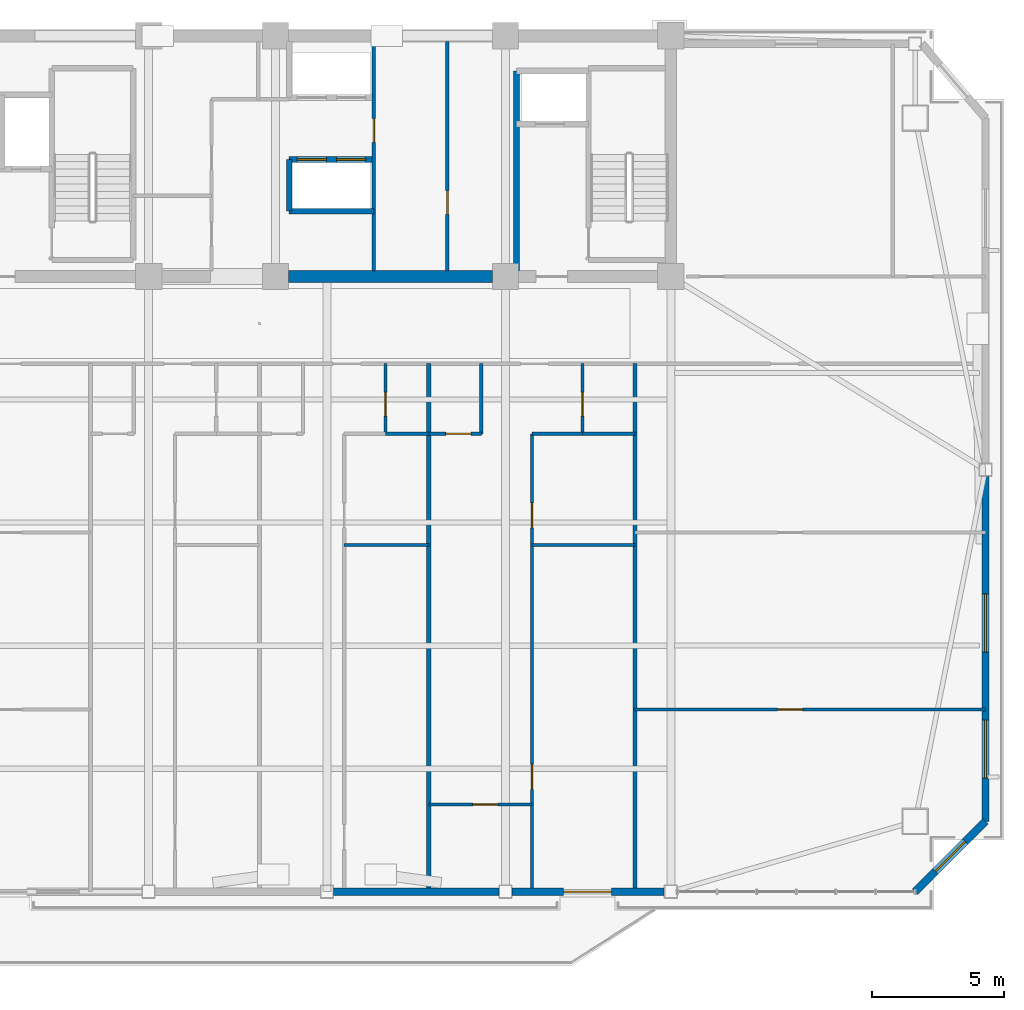
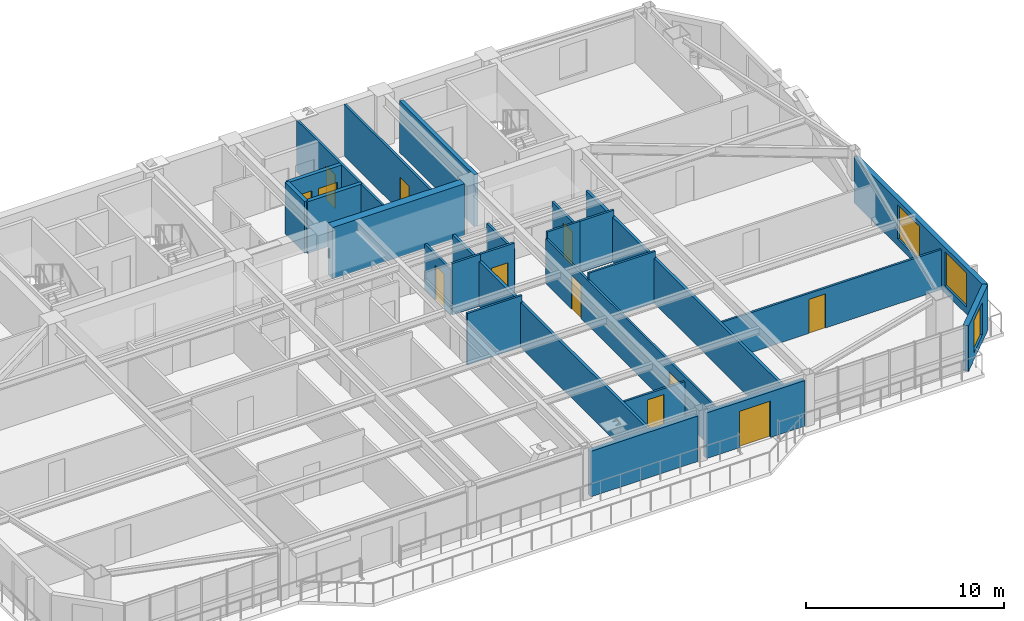
# One storey, part 10 of 19: 25 walls, 12 doors, 3 windows, 15 openings.
"""IFC4 building model written with IfcOpenShell, lengths in metres."""

from ifc_helpers import new_model, si_unit, direction, frame, frame_2d, origin, place, context, subcontext, project, spatial, rectangle, extrude, source, transform, mapped, material, layer, layer_set, type_object, element, fill, save


model = new_model("IFC4")

# Units and contexts
model_context = context("Model", 3, precision=1e-05, world=origin(), true_north=direction((0.0, 1.0)))
body_context = subcontext(model_context, "Body", "Model", "MODEL_VIEW")
ifc_project = project(units=[si_unit("LENGTHUNIT", "METRE"), si_unit("AREAUNIT", "SQUARE_METRE"), si_unit("VOLUMEUNIT", "CUBIC_METRE"), si_unit("PLANEANGLEUNIT", "RADIAN"), si_unit("MASSUNIT", "GRAM", prefix="KILO")], contexts=[model_context])

# Site, building, storey
site_placement = place(None, origin())
site = spatial("IfcSite", under=ifc_project, at=site_placement, CompositionType="ELEMENT")
building_placement = place(site_placement, origin())
building = spatial("IfcBuilding", under=site, at=building_placement, Name="Giltprow Tower", CompositionType="ELEMENT")
storey_placement = place(building_placement, frame((0.0, 0.0, 241.699951171875)))
storey = spatial("IfcBuildingStorey", under=building, at=storey_placement, Name="L61", CompositionType="ELEMENT", Elevation=241.699951171875)

# Wall, opening, window
ifc_material_1 = material(Name="Precast concrete C40", Category="concrete")
ifc_layer_1 = layer(ifc_material_1, 0.300048828125, Name="Precast concrete C40")
ifc_layer_set_1 = layer_set([ifc_layer_1], Name="Precast concrete C40")
wall_type_1 = type_object("IfcWallType", Name="EW-NOTCH-CHAMFER-300", PredefinedType="SOLIDWALL", material=ifc_layer_set_1)
wall_1_placement = place(storey_placement, frame((59.791015625, 14.181884765625, 0.0), z_axis=(0.0, 0.0, 1.0), x_axis=(0.707074342864, 0.707139218021, 0.0)))
wall_1 = element("IfcWall", 1, at=wall_1_placement, inside=storey, type_object=wall_type_1, Name="L61 Corner Notch Wall SE", PredefinedType="SOLIDWALL", context=body_context, shape_type="SweptSolid", body=[
    extrude(rectangle(XDim=3.76318359375, YDim=0.300048828125, at=frame_2d((1.881591796875, 0.0))), origin(), (0.0, 0.0, 1.0), 2.81494140625),
])
opening_1_placement = place(wall_1_placement, frame((1.08203125, 0.0, 0.449951171875)))
opening_1 = element("IfcOpeningElement", 2, at=opening_1_placement, cuts=wall_1, Name="Opening WN17", PredefinedType="OPENING", context=body_context, shape_type="SweptSolid", body=[
    extrude(rectangle(XDim=1.60009765625, YDim=2.0, at=frame_2d((0.800048828125, 1.0))), frame((0.0, 0.159912109375, 0.0), z_axis=(0.0, -1.0, 0.0), x_axis=(1.0, 0.0, 0.0)), (0.0, 0.0, 1.0), 0.320068359375),
])
ifc_material_2 = material(Name="Insulated glass", Category="glass")
window_type_1 = type_object("IfcWindowType", Name="WN-COR-1600x2000", PartitioningType="SINGLE_PANEL", PredefinedType="WINDOW", material=ifc_material_2)
shared_shape_1 = source(origin(), body_context, "Body", "SweptSolid", [
    extrude(rectangle(XDim=1.60009765625, YDim=2.0, at=frame_2d((0.800048828125, 1.0))), frame((0.0, 0.030029296875, 0.0), z_axis=(0.0, -1.0, 0.0), x_axis=(1.0, 0.0, 0.0)), (0.0, 0.0, 1.0), 0.06005859375),
])
window_1_placement = place(opening_1_placement, origin())
window_1 = element("IfcWindow", 3, at=window_1_placement, inside=storey, type_object=window_type_1, Name="L61 Corner Notch Window SE", OverallHeight=2.0, OverallWidth=1.60009765625, PartitioningType="SINGLE_PANEL", PredefinedType="WINDOW", context=body_context, shape_type="MappedRepresentation", body=[
    mapped(shared_shape_1, transform((0.0, 0.0, 0.0), x_axis=(1.0, 0.0, 0.0), y_axis=(0.0, 1.0, 0.0), z_axis=(0.0, 0.0, 1.0), scale=1.0)),
])
fill(opening_1, window_1)

# Wall
ifc_layer_2 = layer(ifc_material_1, 0.280029296875, Name="Precast concrete C40")
ifc_layer_set_2 = layer_set([ifc_layer_2], Name="Precast concrete C40")
wall_type_2 = type_object("IfcWallType", Name="EW-TOW-BRONZE-280", PredefinedType="SOLIDWALL", material=ifc_layer_set_2)
wall_2_placement = place(storey_placement, frame((37.800048828125, 14.181884765625, 0.0), z_axis=(0.0, 0.0, 1.0), x_axis=(1.0, 0.0, 0.0)))
element("IfcWall", 4, at=wall_2_placement, inside=storey, type_object=wall_type_2, Name="L61 South Expressed Frame Wall 4", PredefinedType="SOLIDWALL", context=body_context, shape_type="SweptSolid", body=[
    extrude(rectangle(XDim=6.25, YDim=0.280029296875, at=frame_2d((3.125, 0.0))), origin(), (0.0, 0.0, 1.0), 2.81494140625),
])

# Wall, opening, door
wall_3_placement = place(storey_placement, frame((44.550048828125, 14.181884765625, 0.0), z_axis=(0.0, 0.0, 1.0), x_axis=(1.0, 0.0, 0.0)))
wall_3 = element("IfcWall", 5, at=wall_3_placement, inside=storey, type_object=wall_type_2, Name="L61 South Expressed Frame Wall 5", PredefinedType="SOLIDWALL", context=body_context, shape_type="SweptSolid", body=[
    extrude(rectangle(XDim=5.75, YDim=0.280029296875, at=frame_2d((2.875, 0.0))), origin(), (0.0, 0.0, 1.0), 2.81494140625),
])
opening_2_placement = place(wall_3_placement, frame((1.949951171875, 0.0, 0.0)))
opening_2 = element("IfcOpeningElement", 6, at=opening_2_placement, cuts=wall_3, Name="Opening ED25", PredefinedType="OPENING", context=body_context, shape_type="SweptSolid", body=[
    extrude(rectangle(XDim=1.800048828125, YDim=2.25, at=frame_2d((0.89990234375, 1.125))), frame((0.0, 0.14990234375, 0.0), z_axis=(0.0, -1.0, 0.0), x_axis=(1.0, 0.0, 0.0)), (0.0, 0.0, 1.0), 0.300048828125),
])
ifc_material_3 = material(Name="Anodized bronze and glass", Category="glass")
door_type_1 = type_object("IfcDoorType", Name="DR-BALC-SLIDE-1800", OperationType="SLIDING_TO_LEFT", PredefinedType="DOOR", material=ifc_material_3)
shared_shape_2 = source(origin(), body_context, "Body", "SweptSolid", [
    extrude(rectangle(XDim=1.800048828125, YDim=2.25, at=frame_2d((0.89990234375, 1.125))), frame((0.0, 0.02490234375, 0.0), z_axis=(0.0, -1.0, 0.0), x_axis=(1.0, 0.0, 0.0)), (0.0, 0.0, 1.0), 0.050048828125),
])
door_1_placement = place(opening_2_placement, origin())
door_1 = element("IfcDoor", 7, at=door_1_placement, inside=storey, type_object=door_type_1, Name="L61 Waterfront Balcony Sliding Door 2", OperationType="SLIDING_TO_LEFT", OverallHeight=2.25, OverallWidth=1.800048828125, PredefinedType="DOOR", context=body_context, shape_type="MappedRepresentation", body=[
    mapped(shared_shape_2, transform((0.0, 0.0, 0.0), x_axis=(1.0, 0.0, 0.0), y_axis=(0.0, 1.0, 0.0), z_axis=(0.0, 0.0, 1.0), scale=1.0)),
])
fill(opening_2, door_1)

# Wall, openings, windows
wall_4_placement = place(storey_placement, frame((62.451904296875, 16.843017578125, 0.0), z_axis=(0.0, 0.0, 1.0), x_axis=(0.0, 1.0, 0.0)))
wall_4 = element("IfcWall", 8, at=wall_4_placement, inside=storey, type_object=wall_type_2, Name="L61 E Wing Masonry Wall 1", PredefinedType="SOLIDWALL", context=body_context, shape_type="SweptSolid", body=[
    extrude(rectangle(XDim=13.048095703125, YDim=0.280029296875, at=frame_2d((6.52392578125, 0.0))), origin(), (0.0, 0.0, 1.0), 2.81494140625),
])
opening_3_placement = place(wall_4_placement, frame((1.633056640625, 0.0, 0.449951171875)))
opening_3 = element("IfcOpeningElement", 9, at=opening_3_placement, cuts=wall_4, Name="Opening WN27", PredefinedType="OPENING", context=body_context, shape_type="SweptSolid", body=[
    extrude(rectangle(XDim=2.199951171875, YDim=2.10009765625, at=frame_2d((1.10009765625, 1.050048828125))), frame((0.0, 0.14990234375, 0.0), z_axis=(0.0, -1.0, 0.0), x_axis=(1.0, 0.0, 0.0)), (0.0, 0.0, 1.0), 0.300048828125),
])
opening_4_placement = place(wall_4_placement, frame((6.39990234375, 0.0, 0.449951171875)))
opening_4 = element("IfcOpeningElement", 10, at=opening_4_placement, cuts=wall_4, Name="Opening WN27", PredefinedType="OPENING", context=body_context, shape_type="SweptSolid", body=[
    extrude(rectangle(XDim=2.199951171875, YDim=2.10009765625, at=frame_2d((1.10009765625, 1.050048828125))), frame((0.0, 0.14990234375, 0.0), z_axis=(0.0, -1.0, 0.0), x_axis=(1.0, 0.0, 0.0)), (0.0, 0.0, 1.0), 0.300048828125),
])
window_type_2 = type_object("IfcWindowType", Name="WN-RES-2200x2100", PartitioningType="TRIPLE_PANEL_VERTICAL", PredefinedType="WINDOW", material=ifc_material_2)
shared_shape_3 = source(origin(), body_context, "Body", "SweptSolid", [
    extrude(rectangle(XDim=2.199951171875, YDim=2.10009765625, at=frame_2d((1.10009765625, 1.050048828125))), frame((0.0, 0.030029296875, 0.0), z_axis=(0.0, -1.0, 0.0), x_axis=(1.0, 0.0, 0.0)), (0.0, 0.0, 1.0), 0.06005859375),
])
window_2_placement = place(opening_3_placement, origin())
window_2 = element("IfcWindow", 11, at=window_2_placement, inside=storey, type_object=window_type_2, Name="L61 E Wing Window 1-1A", OverallHeight=2.10009765625, OverallWidth=2.199951171875, PartitioningType="SINGLE_PANEL", PredefinedType="WINDOW", context=body_context, shape_type="MappedRepresentation", body=[
    mapped(shared_shape_3, transform((0.0, 0.0, 0.0), x_axis=(1.0, 0.0, 0.0), y_axis=(0.0, 1.0, 0.0), z_axis=(0.0, 0.0, 1.0), scale=1.0)),
])
fill(opening_3, window_2)
window_3_placement = place(opening_4_placement, origin())
window_3 = element("IfcWindow", 12, at=window_3_placement, inside=storey, type_object=window_type_2, Name="L61 E Wing Window 1-1B", OverallHeight=2.10009765625, OverallWidth=2.199951171875, PartitioningType="SINGLE_PANEL", PredefinedType="WINDOW", context=body_context, shape_type="MappedRepresentation", body=[
    mapped(shared_shape_3, transform((0.0, 0.0, 0.0), x_axis=(1.0, 0.0, 0.0), y_axis=(0.0, 1.0, 0.0), z_axis=(0.0, 0.0, 1.0), scale=1.0)),
])
fill(opening_4, window_3)

# Walls
ifc_material_4 = material(Name="Gypsum stud partition", Category="gypsum")
ifc_layer_3 = layer(ifc_material_4, 0.159912109375, Name="Gypsum stud partition")
ifc_layer_set_3 = layer_set([ifc_layer_3], Name="Gypsum stud partition")
wall_type_3 = type_object("IfcWallType", Name="IW-DEMISE-160", PredefinedType="PARTITIONING", material=ifc_layer_set_3)
for number, where, z_axis, x_axis, name in (
    (13, (41.39990234375, 14.181884765625, 0.0), (0.0, 0.0, 1.0), (0.0, 1.0, 0.0), "L61 Apartment Party Wall 4"),
    (14, (49.199951171875, 14.181884765625, 0.0), (0.0, 0.0, 1.0), (0.0, 1.0, 0.0), "L61 Apartment Party Wall 5"),
):
    element("IfcWall", number, at=place(storey_placement, frame(where, z_axis=z_axis, x_axis=x_axis)), inside=storey, type_object=wall_type_3, Name=name, PredefinedType="PARTITIONING", context=body_context, shape_type="SweptSolid", body=[
        extrude(rectangle(XDim=19.968017578125, YDim=0.159912109375, at=frame_2d((9.98388671875, 0.0))), origin(), (0.0, 0.0, 1.0), 2.77001953125),
    ])
ifc_layer_4 = layer(ifc_material_4, 0.1201171875, Name="Gypsum stud partition")
ifc_layer_set_4 = layer_set([ifc_layer_4], Name="Gypsum stud partition")
wall_type_4 = type_object("IfcWallType", Name="IW-ROOM-120", PredefinedType="PARTITIONING", material=ifc_layer_set_4)
wall_5_placement = place(storey_placement, frame((38.199951171875, 27.300048828125, 0.0), z_axis=(0.0, 0.0, 1.0), x_axis=(1.0, 0.0, 0.0)))
element("IfcWall", 15, at=wall_5_placement, inside=storey, type_object=wall_type_4, Name="L61 Unit 2 Second Bedroom Wall", PredefinedType="PARTITIONING", context=body_context, shape_type="SweptSolid", body=[
    extrude(rectangle(XDim=3.199951171875, YDim=0.1201171875, at=frame_2d((1.60009765625, 0.0))), origin(), (0.0, 0.0, 1.0), 3.18505859375),
])
wall_6_placement = place(storey_placement, frame((45.300048828125, 31.5, 0.0), z_axis=(0.0, 0.0, 1.0), x_axis=(1.0, 0.0, 0.0)))
element("IfcWall", 16, at=wall_6_placement, inside=storey, type_object=wall_type_4, Name="L61 Unit 3 Bedroom North Wall", PredefinedType="PARTITIONING", context=body_context, shape_type="SweptSolid", body=[
    extrude(rectangle(XDim=1.909912109375, YDim=0.1201171875, at=frame_2d((0.955078125, 0.0))), origin(), (0.0, 0.0, 1.0), 3.18505859375),
])

# Wall, openings, doors
wall_7_placement = place(storey_placement, frame((45.300048828125, 14.181884765625, 0.0), z_axis=(0.0, 0.0, 1.0), x_axis=(0.0, 1.0, 0.0)))
wall_7 = element("IfcWall", 17, at=wall_7_placement, inside=storey, type_object=wall_type_4, Name="L61 Unit 3 Bedroom Wall", PredefinedType="PARTITIONING", context=body_context, shape_type="SweptSolid", body=[
    extrude(rectangle(XDim=17.318115234375, YDim=0.1201171875, at=frame_2d((8.6591796875, 0.0))), origin(), (0.0, 0.0, 1.0), 2.77001953125),
])
opening_5_placement = place(wall_7_placement, frame((3.8701171875, 0.0, 0.0)))
opening_5 = element("IfcOpeningElement", 18, at=opening_5_placement, cuts=wall_7, Name="Opening ID11", PredefinedType="OPENING", context=body_context, shape_type="SweptSolid", body=[
    extrude(rectangle(XDim=0.949951171875, YDim=2.10009765625, at=frame_2d((0.47509765625, 1.050048828125))), frame((0.0, 0.070068359375, 0.0), z_axis=(0.0, -1.0, 0.0), x_axis=(1.0, 0.0, 0.0)), (0.0, 0.0, 1.0), 0.14013671875),
])
opening_6_placement = place(wall_7_placement, frame((13.758056640625, 0.0, 0.0)))
opening_6 = element("IfcOpeningElement", 19, at=opening_6_placement, cuts=wall_7, Name="Opening ID11", PredefinedType="OPENING", context=body_context, shape_type="SweptSolid", body=[
    extrude(rectangle(XDim=0.949951171875, YDim=2.10009765625, at=frame_2d((0.47509765625, 1.050048828125))), frame((0.0, 0.070068359375, 0.0), z_axis=(0.0, -1.0, 0.0), x_axis=(1.0, 0.0, 0.0)), (0.0, 0.0, 1.0), 0.14013671875),
])
ifc_material_5 = material(Name="Engineered timber", Category="wood")
door_type_2 = type_object("IfcDoorType", Name="DR-ROOM-950", OperationType="SINGLE_SWING_RIGHT", PredefinedType="DOOR", material=ifc_material_5)
shared_shape_4 = source(origin(), body_context, "Body", "SweptSolid", [
    extrude(rectangle(XDim=0.949951171875, YDim=2.10009765625, at=frame_2d((0.47509765625, 1.050048828125))), frame((0.0, 0.02490234375, 0.0), z_axis=(0.0, -1.0, 0.0), x_axis=(1.0, 0.0, 0.0)), (0.0, 0.0, 1.0), 0.050048828125),
])
door_2_placement = place(opening_5_placement, origin())
door_2 = element("IfcDoor", 20, at=door_2_placement, inside=storey, type_object=door_type_2, Name="L61 Unit 3 Primary Bedroom Door", OperationType="SINGLE_SWING_RIGHT", OverallHeight=2.10009765625, OverallWidth=0.949951171875, PredefinedType="DOOR", context=body_context, shape_type="MappedRepresentation", body=[
    mapped(shared_shape_4, transform((0.0, 0.0, 0.0), x_axis=(1.0, 0.0, 0.0), y_axis=(0.0, 1.0, 0.0), z_axis=(0.0, 0.0, 1.0), scale=1.0)),
])
fill(opening_5, door_2)
door_3_placement = place(opening_6_placement, origin())
door_3 = element("IfcDoor", 21, at=door_3_placement, inside=storey, type_object=door_type_2, Name="L61 Unit 3 Second Bedroom Door", OperationType="SINGLE_SWING_LEFT", OverallHeight=2.10009765625, OverallWidth=0.949951171875, PredefinedType="DOOR", context=body_context, shape_type="MappedRepresentation", body=[
    mapped(shared_shape_4, transform((0.0, 0.0, 0.0), x_axis=(1.0, 0.0, 0.0), y_axis=(0.0, 1.0, 0.0), z_axis=(0.0, 0.0, 1.0), scale=1.0)),
])
fill(opening_6, door_3)

# Wall, opening, door
wall_8_placement = place(storey_placement, frame((41.39990234375, 17.48193359375, 0.0), z_axis=(0.0, 0.0, 1.0), x_axis=(1.0, 0.0, 0.0)))
wall_8 = element("IfcWall", 22, at=wall_8_placement, inside=storey, type_object=wall_type_4, Name="L61 Unit 3 Salon Divider", PredefinedType="PARTITIONING", context=body_context, shape_type="SweptSolid", body=[
    extrude(rectangle(XDim=3.900146484375, YDim=0.1201171875, at=frame_2d((1.9501953125, 0.0))), origin(), (0.0, 0.0, 1.0), 2.469970703125),
])
opening_7_placement = place(wall_8_placement, frame((1.6650390625, 0.0, 0.0)))
opening_7 = element("IfcOpeningElement", 23, at=opening_7_placement, cuts=wall_8, Name="Opening ID11", PredefinedType="OPENING", context=body_context, shape_type="SweptSolid", body=[
    extrude(rectangle(XDim=0.949951171875, YDim=2.10009765625, at=frame_2d((0.47509765625, 1.050048828125))), frame((0.0, 0.070068359375, 0.0), z_axis=(0.0, -1.0, 0.0), x_axis=(1.0, 0.0, 0.0)), (0.0, 0.0, 1.0), 0.14013671875),
])
door_4_placement = place(opening_7_placement, origin())
door_4 = element("IfcDoor", 24, at=door_4_placement, inside=storey, type_object=door_type_2, Name="L61 Unit 3 Study Door", OperationType="SINGLE_SWING_LEFT", OverallHeight=2.10009765625, OverallWidth=0.949951171875, PredefinedType="DOOR", context=body_context, shape_type="MappedRepresentation", body=[
    mapped(shared_shape_4, transform((0.0, 0.0, 0.0), x_axis=(1.0, 0.0, 0.0), y_axis=(0.0, 1.0, 0.0), z_axis=(0.0, 0.0, 1.0), scale=1.0)),
])
fill(opening_7, door_4)

# Wall
wall_9_placement = place(storey_placement, frame((45.300048828125, 27.300048828125, 0.0), z_axis=(0.0, 0.0, 1.0), x_axis=(1.0, 0.0, 0.0)))
element("IfcWall", 25, at=wall_9_placement, inside=storey, type_object=wall_type_4, Name="L61 Unit 3 Second Bedroom Wall", PredefinedType="PARTITIONING", context=body_context, shape_type="SweptSolid", body=[
    extrude(rectangle(XDim=3.89990234375, YDim=0.1201171875, at=frame_2d((1.949951171875, 0.0))), origin(), (0.0, 0.0, 1.0), 3.18505859375),
])

# Wall, opening, door
wall_10_placement = place(storey_placement, frame((49.199951171875, 21.075927734375, 0.0), z_axis=(0.0, 0.0, 1.0), x_axis=(1.0, 0.0, 0.0)))
wall_10 = element("IfcWall", 26, at=wall_10_placement, inside=storey, type_object=wall_type_4, Name="L61 Special Split 1", PredefinedType="PARTITIONING", context=body_context, shape_type="SweptSolid", body=[
    extrude(rectangle(XDim=13.251953125, YDim=0.1201171875, at=frame_2d((6.6259765625, 0.0))), origin(), (0.0, 0.0, 1.0), 2.469970703125),
])
opening_8_placement = place(wall_10_placement, frame((5.386962890625, 0.0, 0.0)))
opening_8 = element("IfcOpeningElement", 27, at=opening_8_placement, cuts=wall_10, Name="Opening ID11", PredefinedType="OPENING", context=body_context, shape_type="SweptSolid", body=[
    extrude(rectangle(XDim=0.949951171875, YDim=2.10009765625, at=frame_2d((0.47509765625, 1.050048828125))), frame((0.0, 0.070068359375, 0.0), z_axis=(0.0, -1.0, 0.0), x_axis=(1.0, 0.0, 0.0)), (0.0, 0.0, 1.0), 0.14013671875),
])
door_5_placement = place(opening_8_placement, origin())
door_5 = element("IfcDoor", 28, at=door_5_placement, inside=storey, type_object=door_type_2, Name="L61 Portfolio Office 3 South Door", OperationType="SINGLE_SWING_RIGHT", OverallHeight=2.10009765625, OverallWidth=0.949951171875, PredefinedType="DOOR", context=body_context, shape_type="MappedRepresentation", body=[
    mapped(shared_shape_4, transform((0.0, 0.0, 0.0), x_axis=(1.0, 0.0, 0.0), y_axis=(0.0, 1.0, 0.0), z_axis=(0.0, 0.0, 1.0), scale=1.0)),
])
fill(opening_8, door_5)

# Wall
ifc_material_6 = material(Name="Concrete C40", Category="concrete")
ifc_layer_5 = layer(ifc_material_6, 0.219970703125, Name="Concrete C40")
ifc_layer_set_5 = layer_set([ifc_layer_5], Name="Concrete C40")
wall_type_5 = type_object("IfcWallType", Name="IW-SHAFT-220", PredefinedType="SOLIDWALL", material=ifc_layer_set_5)
wall_11_placement = place(storey_placement, frame((44.719970703125, 37.655029296875, 0.0), z_axis=(0.0, 0.0, 1.0), x_axis=(0.0, 1.0, 0.0)))
element("IfcWall", 29, at=wall_11_placement, inside=storey, type_object=wall_type_5, Name="L61 East Firefighting Lobby West Wall", PredefinedType="SOLIDWALL", context=body_context, shape_type="SweptSolid", body=[
    extrude(rectangle(XDim=7.56494140625, YDim=0.219970703125, at=frame_2d((3.782470703125, 0.0))), origin(), (0.0, 0.0, 1.0), 3.18505859375),
])

# Wall, openings, doors
wall_12_placement = place(storey_placement, frame((36.1201171875, 41.8798828125, 0.0), z_axis=(0.0, 0.0, 1.0), x_axis=(1.0, 0.0, 0.0)))
wall_12 = element("IfcWall", 30, at=wall_12_placement, inside=storey, type_object=wall_type_5, Name="L61 High-Rise Lift Shaft Front Wall S", PredefinedType="SOLIDWALL", context=body_context, shape_type="SweptSolid", body=[
    extrude(rectangle(XDim=3.199951171875, YDim=0.219970703125, at=frame_2d((1.60009765625, 0.0))), origin(), (0.0, 0.0, 1.0), 3.18505859375),
])
opening_9_placement = place(wall_12_placement, frame((0.300048828125, 0.0, 0.0)))
opening_9 = element("IfcOpeningElement", 31, at=opening_9_placement, cuts=wall_12, Name="Opening LD-11", PredefinedType="OPENING", context=body_context, shape_type="SweptSolid", body=[
    extrude(rectangle(XDim=1.10009765625, YDim=2.199951171875, at=frame_2d((0.550048828125, 1.10009765625))), frame((0.0, 0.119873046875, 0.0), z_axis=(0.0, -1.0, 0.0), x_axis=(1.0, 0.0, 0.0)), (0.0, 0.0, 1.0), 0.239990234375),
])
opening_10_placement = place(wall_12_placement, frame((1.7900390625, 0.0, 0.0)))
opening_10 = element("IfcOpeningElement", 32, at=opening_10_placement, cuts=wall_12, Name="Opening LD-11", PredefinedType="OPENING", context=body_context, shape_type="SweptSolid", body=[
    extrude(rectangle(XDim=1.10009765625, YDim=2.199951171875, at=frame_2d((0.550048828125, 1.10009765625))), frame((0.0, 0.119873046875, 0.0), z_axis=(0.0, -1.0, 0.0), x_axis=(1.0, 0.0, 0.0)), (0.0, 0.0, 1.0), 0.239990234375),
])
ifc_material_7 = material(Name="Stainless steel", Category="steel")
door_type_3 = type_object("IfcDoorType", Name="DR-LIFT-LD1100", OperationType="SLIDING_TO_LEFT", PredefinedType="DOOR", material=ifc_material_7)
shared_shape_5 = source(origin(), body_context, "Body", "SweptSolid", [
    extrude(rectangle(XDim=1.10009765625, YDim=2.199951171875, at=frame_2d((0.550048828125, 1.10009765625))), frame((0.0, 0.02490234375, 0.0), z_axis=(0.0, -1.0, 0.0), x_axis=(1.0, 0.0, 0.0)), (0.0, 0.0, 1.0), 0.050048828125),
])
door_6_placement = place(opening_9_placement, origin())
door_6 = element("IfcDoor", 33, at=door_6_placement, inside=storey, type_object=door_type_3, Name="L61 PL-H3 Landing Door", OperationType="SLIDING_TO_LEFT", OverallHeight=2.199951171875, OverallWidth=1.10009765625, PredefinedType="DOOR", context=body_context, shape_type="MappedRepresentation", body=[
    mapped(shared_shape_5, transform((0.0, 0.0, 0.0), x_axis=(1.0, 0.0, 0.0), y_axis=(0.0, 1.0, 0.0), z_axis=(0.0, 0.0, 1.0), scale=1.0)),
])
fill(opening_9, door_6)
door_7_placement = place(opening_10_placement, origin())
door_7 = element("IfcDoor", 34, at=door_7_placement, inside=storey, type_object=door_type_3, Name="L61 PL-H4 Landing Door", OperationType="SLIDING_TO_LEFT", OverallHeight=2.199951171875, OverallWidth=1.10009765625, PredefinedType="DOOR", context=body_context, shape_type="MappedRepresentation", body=[
    mapped(shared_shape_5, transform((0.0, 0.0, 0.0), x_axis=(1.0, 0.0, 0.0), y_axis=(0.0, 1.0, 0.0), z_axis=(0.0, 0.0, 1.0), scale=1.0)),
])
fill(opening_10, door_7)

# Walls
wall_13_placement = place(storey_placement, frame((36.1201171875, 39.919921875, 0.0), z_axis=(0.0, 0.0, 1.0), x_axis=(1.0, 0.0, 0.0)))
element("IfcWall", 35, at=wall_13_placement, inside=storey, type_object=wall_type_5, Name="L61 High-Rise South Lift Back Wall", PredefinedType="SOLIDWALL", context=body_context, shape_type="SweptSolid", body=[
    extrude(rectangle(XDim=3.199951171875, YDim=0.219970703125, at=frame_2d((1.60009765625, 0.0))), origin(), (0.0, 0.0, 1.0), 3.18505859375),
])
wall_14_placement = place(storey_placement, frame((36.1201171875, 39.919921875, 0.0), z_axis=(0.0, 0.0, 1.0), x_axis=(0.0, 1.0, 0.0)))
element("IfcWall", 36, at=wall_14_placement, inside=storey, type_object=wall_type_5, Name="L61 High-Rise South Lift West Closure", PredefinedType="SOLIDWALL", context=body_context, shape_type="SweptSolid", body=[
    extrude(rectangle(XDim=1.9599609375, YDim=0.219970703125, at=frame_2d((0.97998046875, 0.0))), origin(), (0.0, 0.0, 1.0), 3.18505859375),
])

# Wall, opening, door
ifc_material_8 = material(Name="Concrete C30", Category="concrete")
ifc_layer_6 = layer(ifc_material_8, 0.1298828125, Name="Concrete C30")
ifc_layer_set_6 = layer_set([ifc_layer_6], Name="Concrete C30")
wall_type_6 = type_object("IfcWallType", Name="IW-WET-130", PredefinedType="PARTITIONING", material=ifc_layer_set_6)
wall_15_placement = place(storey_placement, frame((39.320068359375, 37.655029296875, 0.0), z_axis=(0.0, 0.0, 1.0), x_axis=(0.0, 1.0, 0.0)))
wall_15 = element("IfcWall", 37, at=wall_15_placement, inside=storey, type_object=wall_type_6, Name="L61 Reclaimed East Core Wall", PredefinedType="PARTITIONING", context=body_context, shape_type="SweptSolid", body=[
    extrude(rectangle(XDim=8.68994140625, YDim=0.1298828125, at=frame_2d((4.344970703125, 0.0))), origin(), (0.0, 0.0, 1.0), 3.18505859375),
])
opening_11_placement = place(wall_15_placement, frame((4.864990234375, 0.0, 0.0)))
opening_11 = element("IfcOpeningElement", 38, at=opening_11_placement, cuts=wall_15, Name="Opening ID35", PredefinedType="OPENING", context=body_context, shape_type="SweptSolid", body=[
    extrude(rectangle(XDim=0.89990234375, YDim=2.10009765625, at=frame_2d((0.449951171875, 1.050048828125))), frame((0.0, 0.074951171875, 0.0), z_axis=(0.0, -1.0, 0.0), x_axis=(1.0, 0.0, 0.0)), (0.0, 0.0, 1.0), 0.14990234375),
])
ifc_material_9 = material(Name="Steel fire leaf", Category="steel")
door_type_4 = type_object("IfcDoorType", Name="DR-SHAFT-900", OperationType="SINGLE_SWING_LEFT", PredefinedType="DOOR", material=ifc_material_9)
shared_shape_6 = source(origin(), body_context, "Body", "SweptSolid", [
    extrude(rectangle(XDim=0.89990234375, YDim=2.10009765625, at=frame_2d((0.449951171875, 1.050048828125))), frame((0.0, 0.02490234375, 0.0), z_axis=(0.0, -1.0, 0.0), x_axis=(1.0, 0.0, 0.0)), (0.0, 0.0, 1.0), 0.050048828125),
])
door_8_placement = place(opening_11_placement, origin())
door_8 = element("IfcDoor", 39, at=door_8_placement, inside=storey, type_object=door_type_4, Name="L61 Core Housekeeping Vestibule Door", OperationType="SINGLE_SWING_RIGHT", OverallHeight=2.10009765625, OverallWidth=0.89990234375, PredefinedType="DOOR", context=body_context, shape_type="MappedRepresentation", body=[
    mapped(shared_shape_6, transform((0.0, 0.0, 0.0), x_axis=(1.0, 0.0, 0.0), y_axis=(0.0, 1.0, 0.0), z_axis=(0.0, 0.0, 1.0), scale=1.0)),
])
fill(opening_11, door_8)

wall_16_placement = place(storey_placement, frame((42.10009765625, 37.655029296875, 0.0), z_axis=(0.0, 0.0, 1.0), x_axis=(0.0, 1.0, 0.0)))
wall_16 = element("IfcWall", 40, at=wall_16_placement, inside=storey, type_object=wall_type_6, Name="L61 East Core Vertical Divider", PredefinedType="PARTITIONING", context=body_context, shape_type="SweptSolid", body=[
    extrude(rectangle(XDim=8.68994140625, YDim=0.1298828125, at=frame_2d((4.344970703125, 0.0))), origin(), (0.0, 0.0, 1.0), 3.18505859375),
])
opening_12_placement = place(wall_16_placement, frame((2.14501953125, 0.0, 0.0)))
opening_12 = element("IfcOpeningElement", 41, at=opening_12_placement, cuts=wall_16, Name="Opening ID35", PredefinedType="OPENING", context=body_context, shape_type="SweptSolid", body=[
    extrude(rectangle(XDim=0.89990234375, YDim=2.10009765625, at=frame_2d((0.449951171875, 1.050048828125))), frame((0.0, 0.074951171875, 0.0), z_axis=(0.0, -1.0, 0.0), x_axis=(1.0, 0.0, 0.0)), (0.0, 0.0, 1.0), 0.14990234375),
])
door_9_placement = place(opening_12_placement, origin())
door_9 = element("IfcDoor", 42, at=door_9_placement, inside=storey, type_object=door_type_4, Name="L61 Core Wine Store Inner Door", OperationType="SINGLE_SWING_LEFT", OverallHeight=2.10009765625, OverallWidth=0.89990234375, PredefinedType="DOOR", context=body_context, shape_type="MappedRepresentation", body=[
    mapped(shared_shape_6, transform((0.0, 0.0, 0.0), x_axis=(1.0, 0.0, 0.0), y_axis=(0.0, 1.0, 0.0), z_axis=(0.0, 0.0, 1.0), scale=1.0)),
])
fill(opening_12, door_9)

# Wall
wall_17_placement = place(storey_placement, frame((39.760009765625, 31.5, 0.0), z_axis=(0.0, 0.0, 1.0), x_axis=(1.0, 0.0, 0.0)))
element("IfcWall", 43, at=wall_17_placement, inside=storey, type_object=wall_type_6, Name="L61 Unit 2 Bathroom South Wall", PredefinedType="PARTITIONING", context=body_context, shape_type="SweptSolid", body=[
    extrude(rectangle(XDim=1.639892578125, YDim=0.1298828125, at=frame_2d((0.81982421875, 0.0))), origin(), (0.0, 0.0, 1.0), 3.18505859375),
])

# Wall, opening, door
wall_18_placement = place(storey_placement, frame((39.760009765625, 31.5, 0.0), z_axis=(0.0, 0.0, 1.0), x_axis=(0.0, 1.0, 0.0)))
wall_18 = element("IfcWall", 44, at=wall_18_placement, inside=storey, type_object=wall_type_6, Name="L61 Unit 2 Bathroom West Wall", PredefinedType="PARTITIONING", context=body_context, shape_type="SweptSolid", body=[
    extrude(rectangle(XDim=2.64990234375, YDim=0.1298828125, at=frame_2d((1.324951171875, 0.0))), origin(), (0.0, 0.0, 1.0), 2.77001953125),
])
opening_13_placement = place(wall_18_placement, frame((0.669921875, 0.0, 0.0)))
opening_13 = element("IfcOpeningElement", 45, at=opening_13_placement, cuts=wall_18, Name="Opening ID15", PredefinedType="OPENING", context=body_context, shape_type="SweptSolid", body=[
    extrude(rectangle(XDim=0.89990234375, YDim=2.10009765625, at=frame_2d((0.449951171875, 1.050048828125))), frame((0.0, 0.074951171875, 0.0), z_axis=(0.0, -1.0, 0.0), x_axis=(1.0, 0.0, 0.0)), (0.0, 0.0, 1.0), 0.14990234375),
])
door_type_5 = type_object("IfcDoorType", Name="DR-WC-900", OperationType="SINGLE_SWING_LEFT", PredefinedType="DOOR", material=ifc_material_5)
door_10_placement = place(opening_13_placement, origin())
door_10 = element("IfcDoor", 46, at=door_10_placement, inside=storey, type_object=door_type_5, Name="L61 Unit 2 Bathroom Door", OperationType="SINGLE_SWING_LEFT", OverallHeight=2.10009765625, OverallWidth=0.89990234375, PredefinedType="DOOR", context=body_context, shape_type="MappedRepresentation", body=[
    mapped(shared_shape_6, transform((0.0, 0.0, 0.0), x_axis=(1.0, 0.0, 0.0), y_axis=(0.0, 1.0, 0.0), z_axis=(0.0, 0.0, 1.0), scale=1.0)),
])
fill(opening_13, door_10)

wall_19_placement = place(storey_placement, frame((41.39990234375, 31.5, 0.0), z_axis=(0.0, 0.0, 1.0), x_axis=(1.0, 0.0, 0.0)))
wall_19 = element("IfcWall", 47, at=wall_19_placement, inside=storey, type_object=wall_type_6, Name="L61 Unit 3 Kitchen South Wall", PredefinedType="PARTITIONING", context=body_context, shape_type="SweptSolid", body=[
    extrude(rectangle(XDim=1.989990234375, YDim=0.1298828125, at=frame_2d((0.9951171875, 0.0))), origin(), (0.0, 0.0, 1.0), 3.18505859375),
])
opening_14_placement = place(wall_19_placement, frame((0.639892578125, 0.0, 0.0)))
opening_14 = element("IfcOpeningElement", 48, at=opening_14_placement, cuts=wall_19, Name="Opening ID11", PredefinedType="OPENING", context=body_context, shape_type="SweptSolid", body=[
    extrude(rectangle(XDim=0.949951171875, YDim=2.10009765625, at=frame_2d((0.47509765625, 1.050048828125))), frame((0.0, 0.074951171875, 0.0), z_axis=(0.0, -1.0, 0.0), x_axis=(1.0, 0.0, 0.0)), (0.0, 0.0, 1.0), 0.14990234375),
])
door_11_placement = place(opening_14_placement, origin())
door_11 = element("IfcDoor", 49, at=door_11_placement, inside=storey, type_object=door_type_2, Name="L61 Unit 3 Kitchen Door", OperationType="SINGLE_SWING_LEFT", OverallHeight=2.10009765625, OverallWidth=0.949951171875, PredefinedType="DOOR", context=body_context, shape_type="MappedRepresentation", body=[
    mapped(shared_shape_4, transform((0.0, 0.0, 0.0), x_axis=(1.0, 0.0, 0.0), y_axis=(0.0, 1.0, 0.0), z_axis=(0.0, 0.0, 1.0), scale=1.0)),
])
fill(opening_14, door_11)

# Walls
wall_20_placement = place(storey_placement, frame((43.389892578125, 31.5, 0.0), z_axis=(0.0, 0.0, 1.0), x_axis=(0.0, 1.0, 0.0)))
element("IfcWall", 50, at=wall_20_placement, inside=storey, type_object=wall_type_6, Name="L61 Unit 3 Kitchen East Wall", PredefinedType="PARTITIONING", context=body_context, shape_type="SweptSolid", body=[
    extrude(rectangle(XDim=2.64990234375, YDim=0.1298828125, at=frame_2d((1.324951171875, 0.0))), origin(), (0.0, 0.0, 1.0), 2.77001953125),
])
wall_21_placement = place(storey_placement, frame((47.2099609375, 31.5, 0.0), z_axis=(0.0, 0.0, 1.0), x_axis=(1.0, 0.0, 0.0)))
element("IfcWall", 51, at=wall_21_placement, inside=storey, type_object=wall_type_6, Name="L61 Unit 3 Bathroom South Wall", PredefinedType="PARTITIONING", context=body_context, shape_type="SweptSolid", body=[
    extrude(rectangle(XDim=1.989990234375, YDim=0.1298828125, at=frame_2d((0.9951171875, 0.0))), origin(), (0.0, 0.0, 1.0), 3.18505859375),
])

# Wall, opening, door
wall_22_placement = place(storey_placement, frame((47.2099609375, 31.5, 0.0), z_axis=(0.0, 0.0, 1.0), x_axis=(0.0, 1.0, 0.0)))
wall_22 = element("IfcWall", 52, at=wall_22_placement, inside=storey, type_object=wall_type_6, Name="L61 Unit 3 Bathroom West Wall", PredefinedType="PARTITIONING", context=body_context, shape_type="SweptSolid", body=[
    extrude(rectangle(XDim=2.64990234375, YDim=0.1298828125, at=frame_2d((1.324951171875, 0.0))), origin(), (0.0, 0.0, 1.0), 2.77001953125),
])
opening_15_placement = place(wall_22_placement, frame((0.669921875, 0.0, 0.0)))
opening_15 = element("IfcOpeningElement", 53, at=opening_15_placement, cuts=wall_22, Name="Opening ID15", PredefinedType="OPENING", context=body_context, shape_type="SweptSolid", body=[
    extrude(rectangle(XDim=0.89990234375, YDim=2.10009765625, at=frame_2d((0.449951171875, 1.050048828125))), frame((0.0, 0.074951171875, 0.0), z_axis=(0.0, -1.0, 0.0), x_axis=(1.0, 0.0, 0.0)), (0.0, 0.0, 1.0), 0.14990234375),
])
door_12_placement = place(opening_15_placement, origin())
door_12 = element("IfcDoor", 54, at=door_12_placement, inside=storey, type_object=door_type_5, Name="L61 Unit 3 Bathroom Door", OperationType="SINGLE_SWING_RIGHT", OverallHeight=2.10009765625, OverallWidth=0.89990234375, PredefinedType="DOOR", context=body_context, shape_type="MappedRepresentation", body=[
    mapped(shared_shape_6, transform((0.0, 0.0, 0.0), x_axis=(1.0, 0.0, 0.0), y_axis=(0.0, 1.0, 0.0), z_axis=(0.0, 0.0, 1.0), scale=1.0)),
])
fill(opening_15, door_12)

# Wall
ifc_material_10 = material(Name="Concrete C50", Category="concrete")
ifc_layer_7 = layer(ifc_material_10, 0.449951171875, Name="Concrete C50")
ifc_layer_set_7 = layer_set([ifc_layer_7], Name="Concrete C50")
wall_type_7 = type_object("IfcWallType", Name="SW-INT-450-C50", PredefinedType="SHEAR", material=ifc_layer_set_7)
wall_23_placement = place(storey_placement, frame((36.10009765625, 37.449951171875, 0.0), z_axis=(0.0, 0.0, 1.0), x_axis=(1.0, 0.0, 0.0)))
element("IfcWall", 55, at=wall_23_placement, inside=storey, type_object=wall_type_7, Name="L61 South Rear Core Shear Wall Mid-East", PredefinedType="SHEAR", context=body_context, shape_type="SweptSolid", body=[
    extrude(rectangle(XDim=7.699951171875, YDim=0.449951171875, at=frame_2d((3.85009765625, 0.0))), origin(), (0.0, 0.0, 1.0), 3.18505859375),
])

save(model, "model.ifc")
